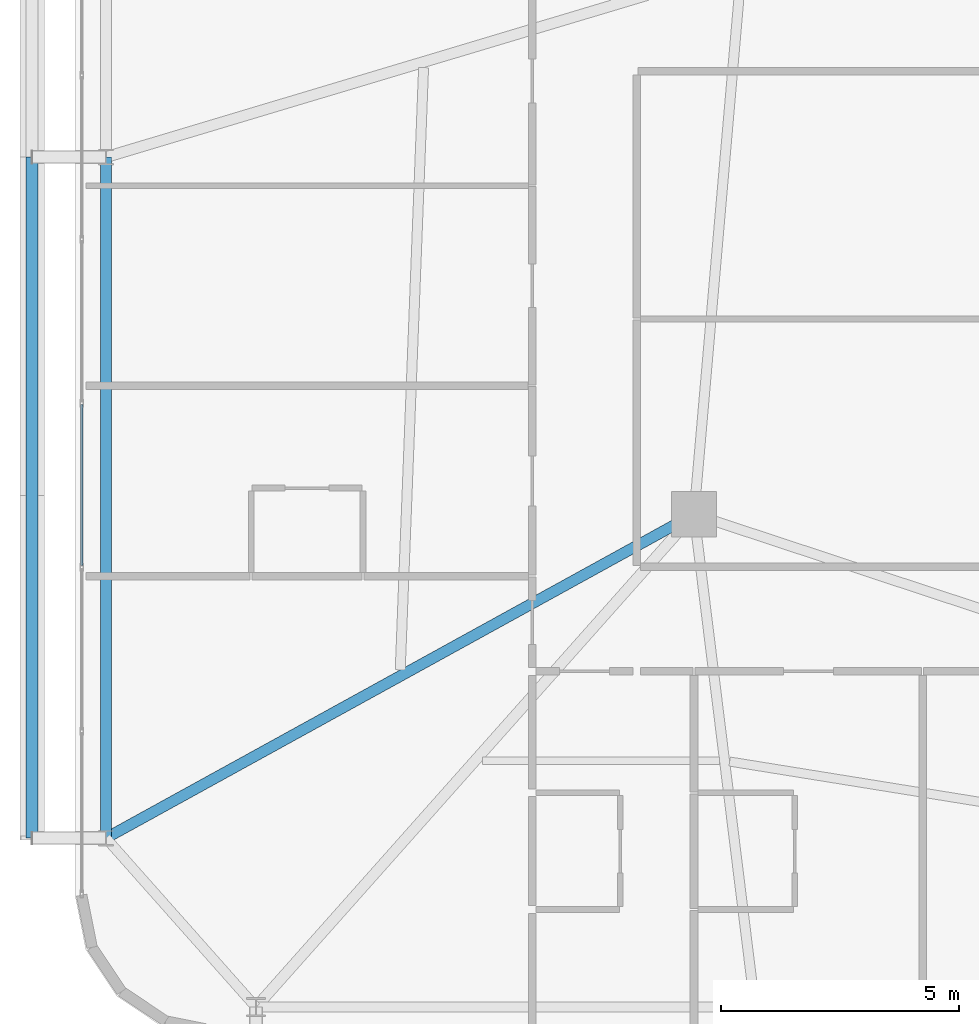
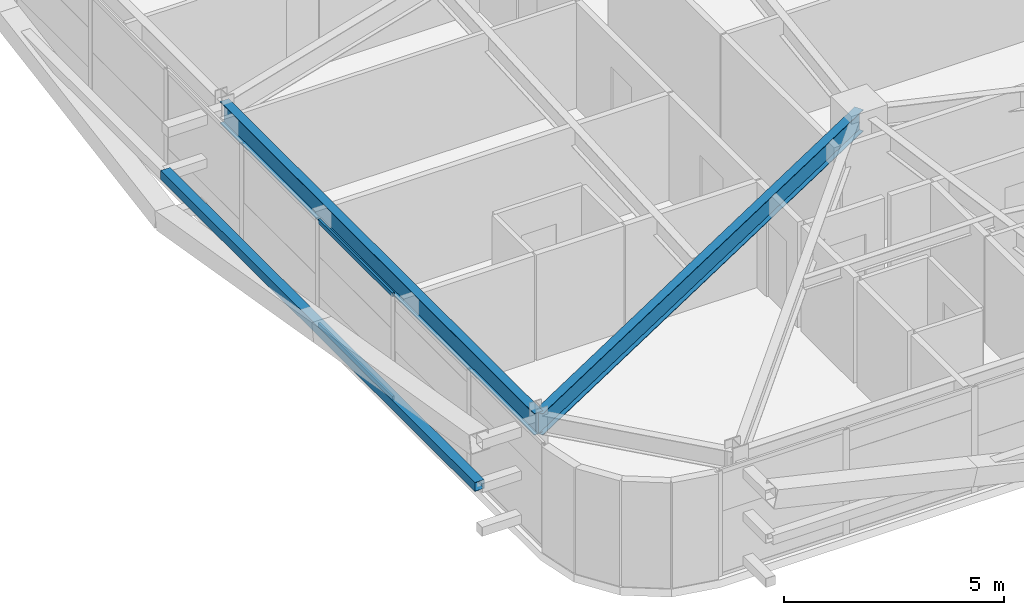
# One storey, part 9 of 59: 3 members, 2 beams, 1 element without a shape of its own.
"""IFC4 building model written with IfcOpenShell, lengths in metres."""

import ifcopenshell
import ifcopenshell.guid

model = None  # the IFC model being written
_history = None  # IfcOwnerHistory: only IFC2X3 demands one
_inside = {}  # id of a spatial element -> (the spatial element, [elements in it])
_under = {}  # id of a project, library or spatial element -> (it, [spatial elements below it])
_declared = {}  # id of a project -> (the project, [libraries it declares])
_typed = {}  # id of a type object -> (the type object, [elements of that type])
_made_of = {}  # id of a material, layer set ... -> (it, [elements and type objects made of it])


def new_model(schema):
    """Start an empty IFC model of exactly this schema.

    Asked for "IFC4X3", IfcOpenShell would pick the latest addendum, in which some entities
    have other attributes; the version numbers below select the first issue.
    IFC2X3 requires an IfcOwnerHistory on every rooted entity: one is made here for all.
    """
    global model, _history
    if schema == "IFC4X3":
        model = ifcopenshell.file(schema_version=(4, 3, 0, 0))
    else:
        model = ifcopenshell.file(schema=schema)
    _inside.clear()
    _under.clear()
    _declared.clear()
    _typed.clear()
    _made_of.clear()
    _history = None
    if model.schema == "IFC2X3":
        org = make("IfcOrganization", Name="unknown")
        user = make(
            "IfcPersonAndOrganization",
            ThePerson=make("IfcPerson", FamilyName="unknown"),
            TheOrganization=org,
        )
        app = make(
            "IfcApplication",
            ApplicationDeveloper=org,
            Version="unknown",
            ApplicationFullName="unknown",
            ApplicationIdentifier="unknown",
        )
        _history = make(
            "IfcOwnerHistory",
            OwningUser=user,
            OwningApplication=app,
            ChangeAction="ADDED",
            CreationDate=0,
        )
    return model


def make(cls, **values):
    """One entity of the class cls with the attributes given. An attribute that is None is left unset."""
    return model.create_entity(
        cls, **{name: value for name, value in values.items() if value is not None}
    )


def rooted(cls, **values):
    """An entity with a GlobalId (a new one), such as an element, a storey or a relation."""
    return make(cls, GlobalId=ifcopenshell.guid.new(), OwnerHistory=_history, **values)


def si_unit(unit_type, name, prefix=None):
    """IfcSIUnit, for example si_unit("LENGTHUNIT", "METRE", prefix="MILLI")."""
    return make("IfcSIUnit", UnitType=unit_type, Prefix=prefix, Name=name)


def assignment(units):
    """IfcUnitAssignment: the units of a project."""
    return None if units is None else make("IfcUnitAssignment", Units=units)


def point(xyz):
    """IfcCartesianPoint."""
    return None if xyz is None else make("IfcCartesianPoint", Coordinates=xyz)


def direction(xyz):
    """IfcDirection."""
    return None if xyz is None else make("IfcDirection", DirectionRatios=xyz)


def frame(location, z_axis=None, x_axis=None):
    """IfcAxis2Placement3D, a coordinate frame: its origin and axes. An axis left out is left unset."""
    return make(
        "IfcAxis2Placement3D",
        Location=point(location),
        Axis=direction(z_axis),
        RefDirection=direction(x_axis),
    )


def frame_2d(location, x_axis=None):
    """IfcAxis2Placement2D, a coordinate frame in the plane: its origin and x axis."""
    return make(
        "IfcAxis2Placement2D", Location=point(location), RefDirection=direction(x_axis)
    )


def origin():
    """The frame at (0, 0, 0) with its axes left unset."""
    return frame((0.0, 0.0, 0.0))


def origin_2d():
    """The frame at (0, 0) in the plane with its x axis left unset."""
    return frame_2d((0.0, 0.0))


def place(relative_to, where):
    """IfcLocalPlacement: puts the frame where relative to a parent placement (None: the world)."""
    return make(
        "IfcLocalPlacement", PlacementRelTo=relative_to, RelativePlacement=where
    )


def context(
    kind, dimensions, precision=None, world=None, true_north=None, identifier=None
):
    """IfcGeometricRepresentationContext, for example the 3D "Model" context."""
    return make(
        "IfcGeometricRepresentationContext",
        ContextIdentifier=identifier,
        ContextType=kind,
        CoordinateSpaceDimension=dimensions,
        Precision=precision,
        WorldCoordinateSystem=world,
        TrueNorth=true_north,
    )


def subcontext(parent, identifier, kind, view, scale=None):
    """IfcGeometricRepresentationSubContext, for example "Body" below "Model"."""
    return make(
        "IfcGeometricRepresentationSubContext",
        ContextIdentifier=identifier,
        ContextType=kind,
        ParentContext=parent,
        TargetScale=scale,
        TargetView=view,
    )


def project(units=None, contexts=None):
    """IfcProject with its units and contexts."""
    return rooted(
        "IfcProject",
        Name="project",
        RepresentationContexts=contexts,
        UnitsInContext=assignment(units),
    )


def spatial(cls, under=None, at=None, **own):
    """A site, building, storey or space (cls), placed at a placement, below another one or the project."""
    s = rooted(cls, ObjectPlacement=at, **own)
    if under is not None:
        _under.setdefault(under.id(), (under, []))[1].append(s)
    return s


def profile(cls, at=None, kind="AREA", **sizes):
    """A parametric profile (cls). Its sizes go by their IFC names, for example OverallWidth=200.0."""
    return make(cls, ProfileType=kind, Position=at, **sizes)


def hollow_rectangle(**sizes):
    """IfcRectangleHollowProfileDef."""
    return profile("IfcRectangleHollowProfileDef", **sizes)


def i_section(**sizes):
    """IfcIShapeProfileDef."""
    return profile("IfcIShapeProfileDef", **sizes)


def extrude(swept, where, along, depth):
    """IfcExtrudedAreaSolid: the profile swept, set in the frame where, extruded along a direction by depth."""
    return make(
        "IfcExtrudedAreaSolid",
        SweptArea=swept,
        Position=where,
        ExtrudedDirection=direction(along),
        Depth=depth,
    )


def shape(context_of_items, identifier, shape_type, items):
    """IfcShapeRepresentation: the items that make up one representation, for example the "Body"."""
    return make(
        "IfcShapeRepresentation",
        ContextOfItems=context_of_items,
        RepresentationIdentifier=identifier,
        RepresentationType=shape_type,
        Items=items,
    )


def source(mapping_origin, context_of_items, identifier, shape_type, items):
    """IfcRepresentationMap: a shape defined once, which mapped items show again and again."""
    return make(
        "IfcRepresentationMap",
        MappingOrigin=mapping_origin,
        MappedRepresentation=shape(context_of_items, identifier, shape_type, items),
    )


def transform(
    local_origin,
    x_axis=None,
    y_axis=None,
    z_axis=None,
    scale=None,
    scale2=None,
    scale3=None,
    uniform=True,
):
    """IfcCartesianTransformationOperator3D, or its non-uniform kind. x_axis, y_axis, z_axis: its Axis1, 2, 3."""
    if uniform:
        return make(
            "IfcCartesianTransformationOperator3D",
            Axis1=direction(x_axis),
            Axis2=direction(y_axis),
            LocalOrigin=point(local_origin),
            Scale=scale,
            Axis3=direction(z_axis),
        )
    return make(
        "IfcCartesianTransformationOperator3DnonUniform",
        Axis1=direction(x_axis),
        Axis2=direction(y_axis),
        LocalOrigin=point(local_origin),
        Scale=scale,
        Axis3=direction(z_axis),
        Scale2=scale2,
        Scale3=scale3,
    )


def mapped(mapping_source, mapping_target):
    """IfcMappedItem: shows the shape of a source again, moved by a transform."""
    return make(
        "IfcMappedItem", MappingSource=mapping_source, MappingTarget=mapping_target
    )


def material(Name=None, Category=None):
    """IfcMaterial."""
    return make("IfcMaterial", Name=Name, Category=Category)


def layer(
    of_material, thickness, ventilated=None, Name=None, Category=None, Priority=None
):
    """IfcMaterialLayer: one layer of a wall or slab, of a material (None: an air gap)."""
    return make(
        "IfcMaterialLayer",
        Material=of_material,
        LayerThickness=thickness,
        IsVentilated=ventilated,
        Name=Name,
        Category=Category,
        Priority=Priority,
    )


def layer_set(layers, Name=None):
    """IfcMaterialLayerSet."""
    return make("IfcMaterialLayerSet", MaterialLayers=layers, LayerSetName=Name)


def material_profile(
    of_material, cross_section, Name=None, Category=None, Priority=None
):
    """IfcMaterialProfile: a cross section and its material."""
    return make(
        "IfcMaterialProfile",
        Name=Name,
        Material=of_material,
        Profile=cross_section,
        Priority=Priority,
        Category=Category,
    )


def profile_set(profiles, Name=None, composite=None):
    """IfcMaterialProfileSet."""
    return make(
        "IfcMaterialProfileSet",
        Name=Name,
        MaterialProfiles=profiles,
        CompositeProfile=composite,
    )


def made_of(thing, what):
    """Note that an element or type object is made of a material, layer set ...; save() writes the relation."""
    if what is not None:
        _made_of.setdefault(what.id(), (what, []))[1].append(thing)
    return thing


def type_object(cls, material=None, **own):
    """A type object (cls), such as IfcWallType, which elements share."""
    return made_of(rooted(cls, **own), material)


def element(
    cls,
    number,
    at=None,
    inside=None,
    cuts=None,
    type_object=None,
    material=None,
    context=None,
    identifier="Body",
    shape_type=None,
    held_by="IfcProductDefinitionShape",
    body=None,
    shapes=None,
    **own,
):
    """One element of the class cls, such as IfcWall. Its Tag is "e" and its number.

    at: its placement. inside: the storey or other place that contains it. cuts: it is an
    opening in that element (IfcRelVoidsElement). A single representation is given by context,
    identifier, shape_type and body (its items); several are given by shapes. held_by: the class
    of the entity that holds the representations. save() writes the other relations.
    """
    e = rooted(cls, Tag="e%d" % number, ObjectPlacement=at, **own)
    if body is not None:
        shapes = [shape(context, identifier, shape_type, body)]
    if shapes is not None:
        e.Representation = make(held_by, Representations=shapes)
    if inside is not None:
        _inside.setdefault(inside.id(), (inside, []))[1].append(e)
    if cuts is not None:
        rooted(
            "IfcRelVoidsElement", RelatingBuildingElement=cuts, RelatedOpeningElement=e
        )
    if type_object is not None:
        _typed.setdefault(type_object.id(), (type_object, []))[1].append(e)
    return made_of(e, material)


def aggregate(whole, parts):
    """IfcRelAggregates: a whole, such as a stair, and the parts it consists of."""
    return rooted("IfcRelAggregates", RelatingObject=whole, RelatedObjects=parts)


def save(model, path):
    """Write the relations noted so far, then the file.

    IfcRelAggregates (storeys below a building ...), IfcRelContainedInSpatialStructure (elements
    in a storey), IfcRelDefinesByType, IfcRelAssociatesMaterial and IfcRelDeclares: one each for
    every whole, place, type object, material and project.
    """
    for whole, parts in _under.values():
        aggregate(whole, parts)
    for where, things in _inside.values():
        rooted(
            "IfcRelContainedInSpatialStructure",
            RelatedElements=things,
            RelatingStructure=where,
        )
    for kind, things in _typed.values():
        rooted("IfcRelDefinesByType", RelatedObjects=things, RelatingType=kind)
    for what, things in _made_of.values():
        rooted("IfcRelAssociatesMaterial", RelatedObjects=things, RelatingMaterial=what)
    for by, libraries in _declared.values():
        rooted("IfcRelDeclares", RelatingContext=by, RelatedDefinitions=libraries)
    model.write(path)


model = new_model("IFC4")

# Units and contexts
model_context = context("Model", 3, precision=1e-05, world=origin(), true_north=direction((0.0, 1.0)))
body_context = subcontext(model_context, "Body", "Model", "MODEL_VIEW")
ifc_project = project(units=[si_unit("LENGTHUNIT", "METRE"), si_unit("AREAUNIT", "SQUARE_METRE"), si_unit("VOLUMEUNIT", "CUBIC_METRE"), si_unit("PLANEANGLEUNIT", "RADIAN"), si_unit("MASSUNIT", "GRAM", prefix="KILO")], contexts=[model_context])

# Site, building, storey
site_placement = place(None, origin())
site = spatial("IfcSite", under=ifc_project, at=site_placement, CompositionType="ELEMENT")
building_placement = place(site_placement, origin())
building = spatial("IfcBuilding", under=site, at=building_placement, Name="Taldren Reach Tower", CompositionType="ELEMENT")
storey_placement = place(building_placement, frame((0.0, 0.0, 19.949951171875)))
storey = spatial("IfcBuildingStorey", under=building, at=storey_placement, Name="L05", CompositionType="ELEMENT", Elevation=19.949951171875)

# Beams
ifc_material_1 = material(Name="Steel Gr 350 (350PLUS)", Category="steel")
ifc_material_profile_1 = material_profile(ifc_material_1, i_section(OverallWidth=0.22802734375, OverallDepth=0.60205078125, WebThickness=0.010498046875, FlangeThickness=0.014892578125, at=origin_2d()), Name="610UB101")
ifc_profile_set_1 = profile_set([ifc_material_profile_1], Name="Steel Gr 350 (350PLUS)")
beam_type = type_object("IfcBeamType", Name="BM-UB610B", PredefinedType="BEAM", material=ifc_profile_set_1)
shared_shape_1 = source(origin(), body_context, "Body", "SweptSolid", [
    extrude(i_section(OverallWidth=0.22802734375, OverallDepth=0.60205078125, WebThickness=0.010498046875, FlangeThickness=0.014892578125, at=origin_2d()), origin(), (0.0, 0.0, 1.0), 14.300048828125),
])
beam_1_placement = place(storey_placement, frame((5.64990234375, 20.0, 2.629150390625), z_axis=(0.0, -1.0, 0.0), x_axis=(1.0, 0.0, 0.0)))
element("IfcBeam", 1, at=beam_1_placement, inside=storey, type_object=beam_type, Name="Perimeter gable girder B1 W2-W1 L05", PredefinedType="BEAM", context=body_context, shape_type="MappedRepresentation", body=[
    mapped(shared_shape_1, transform((0.0, 0.0, 0.0), scale=1.0)),
])
shared_shape_2 = source(origin(), body_context, "Body", "SweptSolid", [
    extrude(i_section(OverallWidth=0.22802734375, OverallDepth=0.60205078125, WebThickness=0.010498046875, FlangeThickness=0.014892578125, at=origin_2d()), origin(), (0.0, 0.0, 1.0), 14.098388671875),
])
beam_2_placement = place(storey_placement, frame((18.0, 12.5, 2.629150390625), z_axis=(-0.875991325783, -0.482326857175, 0.0), x_axis=(0.482326857175, -0.875991325783, 0.0)))
element("IfcBeam", 2, at=beam_2_placement, inside=storey, type_object=beam_type, Name="Primary floor girder B1-W1 L05", PredefinedType="BEAM", context=body_context, shape_type="MappedRepresentation", body=[
    mapped(shared_shape_2, transform((0.0, 0.0, 0.0), scale=1.0)),
])

# Member
ifc_material_2 = material(Name="Steel Gr 350 (C350L0)", Category="steel")
ifc_material_profile_2 = material_profile(ifc_material_2, hollow_rectangle(XDim=0.25, YDim=0.25, WallThickness=0.010009765625, at=origin_2d()), Name="250x250x10.0SHS")
ifc_profile_set_2 = profile_set([ifc_material_profile_2], Name="Steel Gr 350 (C350L0)")
member_type_1 = type_object("IfcMemberType", Name="MB-POST250", PredefinedType="POST", material=ifc_profile_set_2)
shared_shape_3 = source(origin(), body_context, "Body", "SweptSolid", [
    extrude(hollow_rectangle(XDim=0.25, YDim=0.25, WallThickness=0.010009765625, at=origin_2d()), origin(), (0.0, 0.0, 1.0), 14.300048828125),
])
member_1_placement = place(storey_placement, frame((4.10009765625, 5.699951171875, 1.43505859375), z_axis=(0.0, 1.0, 0.0), x_axis=(-1.0, 0.0, 0.0)))
element("IfcMember", 3, at=member_1_placement, inside=storey, type_object=member_type_1, Name="Exoskeleton mid-height ring chord B1-W1 L05", PredefinedType="POST", context=body_context, shape_type="MappedRepresentation", body=[
    mapped(shared_shape_3, transform((0.0, 0.0, 0.0), scale=1.0)),
])

# Curtain wall, members
ifc_material_3 = material(Name="Aluminium and Low-E Glass Unitised System", Category="aluminium")
ifc_layer = layer(ifc_material_3, 0.159912109375)
ifc_layer_set = layer_set([ifc_layer], Name="Aluminium and Low-E Glass Unitised System")
curtain_wall_type = type_object("IfcCurtainWallType", Name="CW-SYS-2", PredefinedType="NOTDEFINED", material=ifc_layer_set)
curtain_wall_placement = place(storey_placement, origin())
curtain_wall = element("IfcCurtainWall", 4, at=curtain_wall_placement, inside=storey, type_object=curtain_wall_type, Name="Unitised curtain wall CW-L05-W", PredefinedType="NOTDEFINED")
ifc_material_4 = material(Name="Anodised Aluminium 6063-T6", Category="aluminium")
ifc_material_profile_3 = material_profile(ifc_material_4, hollow_rectangle(XDim=0.054931640625, YDim=0.1201171875, WallThickness=0.0029296875, at=origin_2d()), Name="ALU-120x55x3RHS")
ifc_profile_set_3 = profile_set([ifc_material_profile_3], Name="Anodised Aluminium 6063-T6")
member_type_2 = type_object("IfcMemberType", Name="CW-TRN-135", PredefinedType="USERDEFINED", material=ifc_profile_set_3)
shared_shape_4 = source(origin(), body_context, "Body", "SweptSolid", [
    extrude(hollow_rectangle(XDim=0.054931640625, YDim=0.1201171875, WallThickness=0.0029296875, at=origin_2d()), origin(), (0.0, 0.0, 1.0), 3.37939453125),
])
member_2_placement = place(storey_placement, frame((5.139892578125, 14.80078125, 0.027587890625), z_axis=(0.0, -1.0, 0.0), x_axis=(1.0, 0.0, 0.0)))
member_2 = element("IfcMember", 5, at=member_2_placement, type_object=member_type_2, Name="CW-2 transom 7.1", ObjectType="TRANSOM", PredefinedType="USERDEFINED", context=body_context, shape_type="MappedRepresentation", body=[
    mapped(shared_shape_4, transform((0.0, 0.0, 0.0), scale=1.0)),
])
member_3_placement = place(storey_placement, frame((5.139892578125, 14.80078125, 2.902587890625), z_axis=(0.0, -1.0, 0.0), x_axis=(1.0, 0.0, 0.0)))
member_3 = element("IfcMember", 6, at=member_3_placement, type_object=member_type_2, Name="CW-2 transom 7.2", ObjectType="TRANSOM", PredefinedType="USERDEFINED", context=body_context, shape_type="MappedRepresentation", body=[
    mapped(shared_shape_4, transform((0.0, 0.0, 0.0), scale=1.0)),
])
aggregate(curtain_wall, [member_2, member_3])

save(model, "model.ifc")
